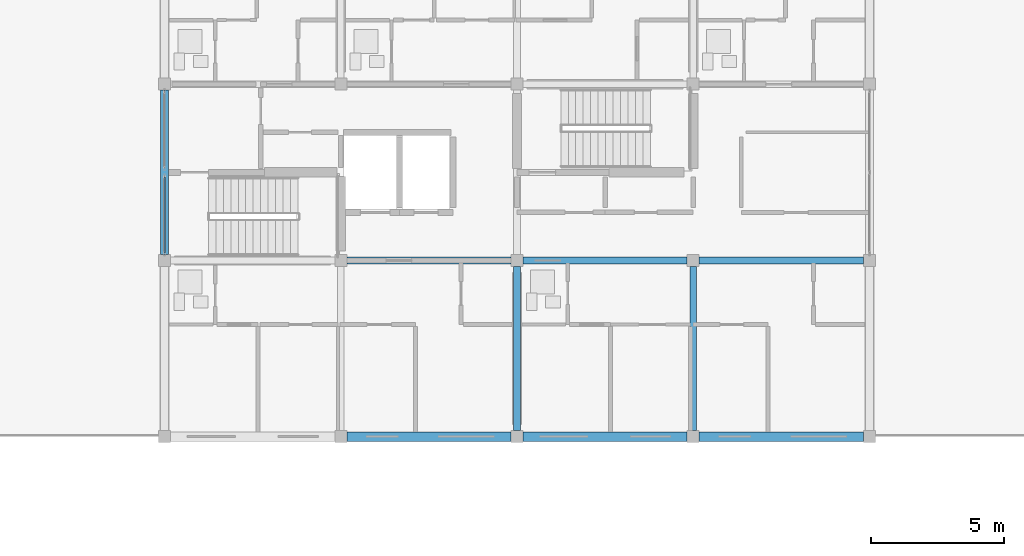
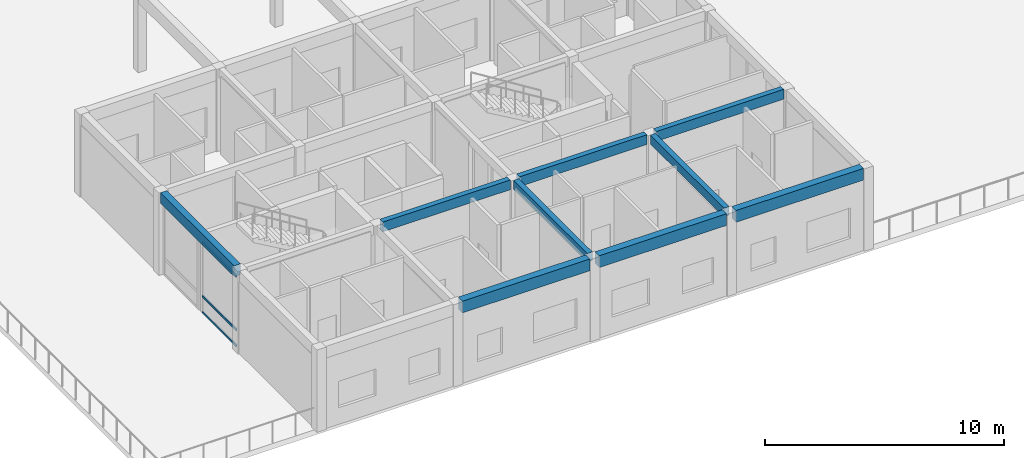
# One storey, part 12 of 92: 9 beams, 3 members, 1 element without a shape of its own.
"""IFC4 building model written with IfcOpenShell, lengths in metres."""

from ifc_helpers import new_model, si_unit, direction, frame, origin, origin_2d, place, context, subcontext, project, spatial, rectangle, hollow_rectangle, extrude, material, material_profile, profile_set, type_object, element, aggregate, save


model = new_model("IFC4")

# Units and contexts
model_context = context("Model", 3, precision=1e-05, world=origin(), true_north=direction((0.0, 1.0)))
body_context = subcontext(model_context, "Body", "Model", "MODEL_VIEW")
ifc_project = project(units=[si_unit("LENGTHUNIT", "METRE"), si_unit("AREAUNIT", "SQUARE_METRE"), si_unit("VOLUMEUNIT", "CUBIC_METRE"), si_unit("PLANEANGLEUNIT", "RADIAN"), si_unit("MASSUNIT", "GRAM", prefix="KILO")], contexts=[model_context])

# Site, building, storey
site_placement = place(None, origin())
site = spatial("IfcSite", under=ifc_project, at=site_placement, CompositionType="ELEMENT")
building_placement = place(site_placement, origin())
building = spatial("IfcBuilding", under=site, at=building_placement, Name="Kernevlak Ridge Housing Community", CompositionType="ELEMENT")
storey_placement = place(building_placement, frame((0.0, 0.0, 4.199951171875)))
storey = spatial("IfcBuildingStorey", under=building, at=storey_placement, Name="L01", CompositionType="ELEMENT", Elevation=4.199951171875)

# Beams
ifc_material_1 = material(Name="Concrete C35/45", Category="concrete")
ifc_material_profile_1 = material_profile(ifc_material_1, rectangle(XDim=0.25, YDim=0.449951171875, at=origin_2d()), Name="RC 250x450")
ifc_profile_set_1 = profile_set([ifc_material_profile_1], Name="Concrete C35/45")
beam_type_1 = type_object("IfcBeamType", Name="B-04", PredefinedType="T_BEAM", material=ifc_profile_set_1)
for number, where, z_axis, x_axis, name in (
    (1, (28.800048828125, 15.824951171875, 3.97509765625), (0.0, 1.0, 0.0), (-1.0, 0.0, 0.0), "Beam B-04 L01 1358"),
    (2, (35.39990234375, 15.824951171875, 3.97509765625), (0.0, 1.0, 0.0), (-1.0, 0.0, 0.0), "Beam B-04 L01 1361"),
):
    element("IfcBeam", number, at=place(storey_placement, frame(where, z_axis=z_axis, x_axis=x_axis)), inside=storey, type_object=beam_type_1, Name=name, PredefinedType="T_BEAM", context=body_context, shape_type="SweptSolid", body=[
        extrude(rectangle(XDim=0.25, YDim=0.449951171875, at=origin_2d()), origin(), (0.0, 0.0, 1.0), 6.150146484375),
    ])
ifc_material_profile_2 = material_profile(ifc_material_1, rectangle(XDim=0.25, YDim=0.5, at=origin_2d()), Name="RC 250x500")
ifc_profile_set_2 = profile_set([ifc_material_profile_2], Name="Concrete C35/45")
beam_type_2 = type_object("IfcBeamType", Name="B-06", PredefinedType="T_BEAM", material=ifc_profile_set_2)
beam_1_placement = place(storey_placement, frame((22.425048828125, 22.199951171875, 3.949951171875), z_axis=(1.0, 0.0, 0.0), x_axis=(0.0, 1.0, 0.0)))
element("IfcBeam", 3, at=beam_1_placement, inside=storey, type_object=beam_type_2, Name="Beam B-06 L01 1342", PredefinedType="T_BEAM", context=body_context, shape_type="SweptSolid", body=[
    extrude(rectangle(XDim=0.25, YDim=0.5, at=origin_2d()), origin(), (0.0, 0.0, 1.0), 6.14990234375),
])
beam_2_placement = place(storey_placement, frame((29.02490234375, 22.199951171875, 3.949951171875), z_axis=(1.0, 0.0, 0.0), x_axis=(0.0, 1.0, 0.0)))
element("IfcBeam", 4, at=beam_2_placement, inside=storey, type_object=beam_type_2, Name="Beam B-06 L01 1343", PredefinedType="T_BEAM", context=body_context, shape_type="SweptSolid", body=[
    extrude(rectangle(XDim=0.25, YDim=0.5, at=origin_2d()), origin(), (0.0, 0.0, 1.0), 6.150146484375),
])
beam_3_placement = place(storey_placement, frame((35.625, 22.199951171875, 3.949951171875), z_axis=(1.0, 0.0, 0.0), x_axis=(0.0, 1.0, 0.0)))
element("IfcBeam", 5, at=beam_3_placement, inside=storey, type_object=beam_type_2, Name="Beam B-06 L01 1344", PredefinedType="T_BEAM", context=body_context, shape_type="SweptSolid", body=[
    extrude(rectangle(XDim=0.25, YDim=0.5, at=origin_2d()), origin(), (0.0, 0.0, 1.0), 6.14990234375),
])
ifc_material_profile_3 = material_profile(ifc_material_1, rectangle(XDim=0.300048828125, YDim=0.550048828125, at=origin_2d()), Name="RC 300x550")
ifc_profile_set_3 = profile_set([ifc_material_profile_3], Name="Concrete C35/45")
beam_type_3 = type_object("IfcBeamType", Name="SP-01", PredefinedType="SPANDREL", material=ifc_profile_set_3)
beam_4_placement = place(storey_placement, frame((15.60009765625, 22.425048828125, 3.925048828125), z_axis=(0.0, 1.0, 0.0), x_axis=(-1.0, 0.0, 0.0)))
element("IfcBeam", 6, at=beam_4_placement, inside=storey, type_object=beam_type_3, Name="Beam SP-01 L01 1354", PredefinedType="SPANDREL", context=body_context, shape_type="SweptSolid", body=[
    extrude(rectangle(XDim=0.300048828125, YDim=0.550048828125, at=origin_2d()), origin(), (0.0, 0.0, 1.0), 6.14990234375),
])
ifc_material_profile_4 = material_profile(ifc_material_1, rectangle(XDim=0.35009765625, YDim=0.60009765625, at=origin_2d()), Name="RC 350x600")
ifc_profile_set_4 = profile_set([ifc_material_profile_4], Name="Concrete C35/45")
beam_type_4 = type_object("IfcBeamType", Name="SP-03", PredefinedType="SPANDREL", material=ifc_profile_set_4)
beam_5_placement = place(storey_placement, frame((22.425048828125, 15.60009765625, 3.900146484375), z_axis=(1.0, 0.0, 0.0), x_axis=(0.0, 1.0, 0.0)))
element("IfcBeam", 7, at=beam_5_placement, inside=storey, type_object=beam_type_4, Name="Beam SP-03 L01 1338", PredefinedType="SPANDREL", context=body_context, shape_type="SweptSolid", body=[
    extrude(rectangle(XDim=0.35009765625, YDim=0.60009765625, at=origin_2d()), origin(), (0.0, 0.0, 1.0), 6.14990234375),
])
beam_6_placement = place(storey_placement, frame((29.02490234375, 15.60009765625, 3.900146484375), z_axis=(1.0, 0.0, 0.0), x_axis=(0.0, 1.0, 0.0)))
element("IfcBeam", 8, at=beam_6_placement, inside=storey, type_object=beam_type_4, Name="Beam SP-03 L01 1339", PredefinedType="SPANDREL", context=body_context, shape_type="SweptSolid", body=[
    extrude(rectangle(XDim=0.35009765625, YDim=0.60009765625, at=origin_2d()), origin(), (0.0, 0.0, 1.0), 6.150146484375),
])
beam_7_placement = place(storey_placement, frame((35.625, 15.60009765625, 3.900146484375), z_axis=(1.0, 0.0, 0.0), x_axis=(0.0, 1.0, 0.0)))
element("IfcBeam", 9, at=beam_7_placement, inside=storey, type_object=beam_type_4, Name="Beam SP-03 L01 1340", PredefinedType="SPANDREL", context=body_context, shape_type="SweptSolid", body=[
    extrude(rectangle(XDim=0.35009765625, YDim=0.60009765625, at=origin_2d()), origin(), (0.0, 0.0, 1.0), 6.14990234375),
])

# Curtain wall, members
ifc_material_2 = material(Name="Aluminium EN AW-6060 anodised and laminated glass", Category="aluminium")
curtain_wall_type = type_object("IfcCurtainWallType", Name="CW-11", PredefinedType="NOTDEFINED", material=ifc_material_2)
curtain_wall_placement = place(storey_placement, origin())
curtain_wall = element("IfcCurtainWall", 10, at=curtain_wall_placement, inside=storey, type_object=curtain_wall_type, Name="Curtain wall CW-11 CW-L01-142", PredefinedType="NOTDEFINED")
ifc_material_3 = material(Name="Aluminium EN AW-6060 anodised", Category="aluminium")
ifc_material_profile_5 = material_profile(ifc_material_3, hollow_rectangle(XDim=0.06005859375, YDim=0.1201171875, WallThickness=0.00390625, InnerFilletRadius=0.001953125, OuterFilletRadius=0.00390625, at=origin_2d()), Name="ALU 60x120x4")
ifc_profile_set_5 = profile_set([ifc_material_profile_5], Name="Aluminium EN AW-6060 anodised")
member_type = type_object("IfcMemberType", Name="TM-02", PredefinedType="USERDEFINED", material=ifc_profile_set_5)
member_1_placement = place(storey_placement, frame((15.60009765625, 22.485107421875, 0.030029296875), z_axis=(0.0, 1.0, 0.0), x_axis=(-1.0, 0.0, 0.0)))
member_1 = element("IfcMember", 11, at=member_1_placement, type_object=member_type, Name="CW-11 transom 1.1", ObjectType="TRANSOM", PredefinedType="USERDEFINED", context=body_context, shape_type="SweptSolid", body=[
    extrude(hollow_rectangle(XDim=0.06005859375, YDim=0.1201171875, WallThickness=0.00390625, InnerFilletRadius=0.001953125, OuterFilletRadius=0.00390625, at=origin_2d()), origin(), (0.0, 0.0, 1.0), 2.844970703125),
])
member_2_placement = place(storey_placement, frame((15.60009765625, 22.485107421875, 0.85009765625), z_axis=(0.0, 1.0, 0.0), x_axis=(-1.0, 0.0, 0.0)))
member_2 = element("IfcMember", 12, at=member_2_placement, type_object=member_type, Name="CW-11 transom 1.2", ObjectType="TRANSOM", PredefinedType="USERDEFINED", context=body_context, shape_type="SweptSolid", body=[
    extrude(hollow_rectangle(XDim=0.06005859375, YDim=0.1201171875, WallThickness=0.00390625, InnerFilletRadius=0.001953125, OuterFilletRadius=0.00390625, at=origin_2d()), origin(), (0.0, 0.0, 1.0), 2.844970703125),
])
member_3_placement = place(storey_placement, frame((15.60009765625, 22.485107421875, 3.570068359375), z_axis=(0.0, 1.0, 0.0), x_axis=(-1.0, 0.0, 0.0)))
member_3 = element("IfcMember", 13, at=member_3_placement, type_object=member_type, Name="CW-11 transom 1.3", ObjectType="TRANSOM", PredefinedType="USERDEFINED", context=body_context, shape_type="SweptSolid", body=[
    extrude(hollow_rectangle(XDim=0.06005859375, YDim=0.1201171875, WallThickness=0.00390625, InnerFilletRadius=0.001953125, OuterFilletRadius=0.00390625, at=origin_2d()), origin(), (0.0, 0.0, 1.0), 2.844970703125),
])
aggregate(curtain_wall, [member_1, member_2, member_3])

save(model, "model.ifc")
